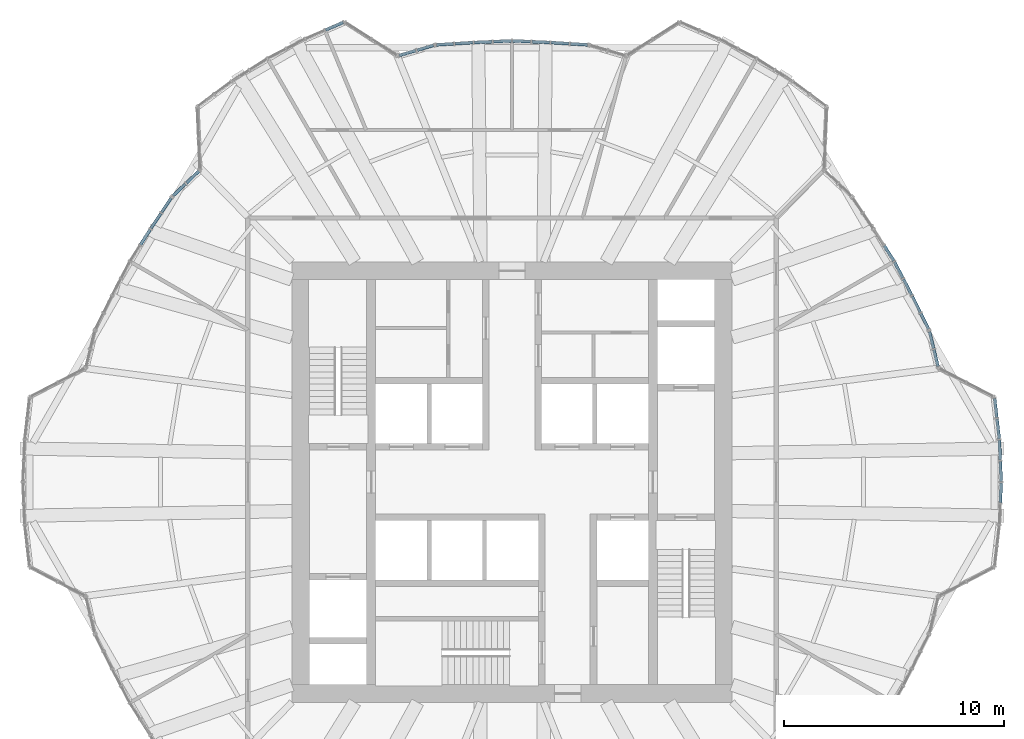
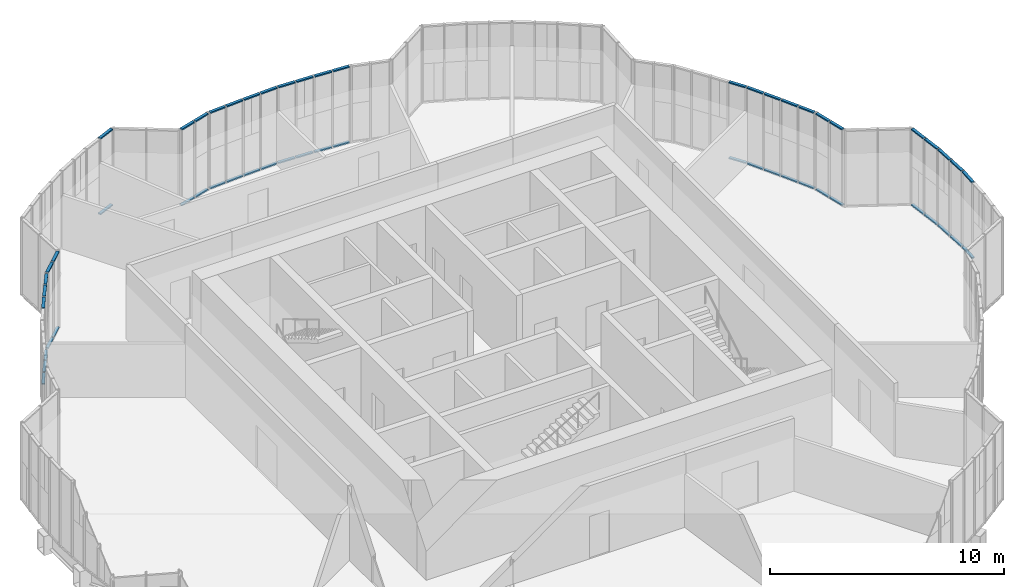
# One storey, part 11 of 24: 56 members, 16 elements without a shape of their own.
"""IFC4 building model written with IfcOpenShell, lengths in metres."""

import ifcopenshell
import ifcopenshell.guid

model = None  # the IFC model being written
_history = None  # IfcOwnerHistory: only IFC2X3 demands one
_inside = {}  # id of a spatial element -> (the spatial element, [elements in it])
_under = {}  # id of a project, library or spatial element -> (it, [spatial elements below it])
_declared = {}  # id of a project -> (the project, [libraries it declares])
_typed = {}  # id of a type object -> (the type object, [elements of that type])
_made_of = {}  # id of a material, layer set ... -> (it, [elements and type objects made of it])


def new_model(schema):
    """Start an empty IFC model of exactly this schema.

    Asked for "IFC4X3", IfcOpenShell would pick the latest addendum, in which some entities
    have other attributes; the version numbers below select the first issue.
    IFC2X3 requires an IfcOwnerHistory on every rooted entity: one is made here for all.
    """
    global model, _history
    if schema == "IFC4X3":
        model = ifcopenshell.file(schema_version=(4, 3, 0, 0))
    else:
        model = ifcopenshell.file(schema=schema)
    _inside.clear()
    _under.clear()
    _declared.clear()
    _typed.clear()
    _made_of.clear()
    _history = None
    if model.schema == "IFC2X3":
        org = make("IfcOrganization", Name="unknown")
        user = make(
            "IfcPersonAndOrganization",
            ThePerson=make("IfcPerson", FamilyName="unknown"),
            TheOrganization=org,
        )
        app = make(
            "IfcApplication",
            ApplicationDeveloper=org,
            Version="unknown",
            ApplicationFullName="unknown",
            ApplicationIdentifier="unknown",
        )
        _history = make(
            "IfcOwnerHistory",
            OwningUser=user,
            OwningApplication=app,
            ChangeAction="ADDED",
            CreationDate=0,
        )
    return model


def make(cls, **values):
    """One entity of the class cls with the attributes given. An attribute that is None is left unset."""
    return model.create_entity(
        cls, **{name: value for name, value in values.items() if value is not None}
    )


def rooted(cls, **values):
    """An entity with a GlobalId (a new one), such as an element, a storey or a relation."""
    return make(cls, GlobalId=ifcopenshell.guid.new(), OwnerHistory=_history, **values)


def si_unit(unit_type, name, prefix=None):
    """IfcSIUnit, for example si_unit("LENGTHUNIT", "METRE", prefix="MILLI")."""
    return make("IfcSIUnit", UnitType=unit_type, Prefix=prefix, Name=name)


def assignment(units):
    """IfcUnitAssignment: the units of a project."""
    return None if units is None else make("IfcUnitAssignment", Units=units)


def point(xyz):
    """IfcCartesianPoint."""
    return None if xyz is None else make("IfcCartesianPoint", Coordinates=xyz)


def direction(xyz):
    """IfcDirection."""
    return None if xyz is None else make("IfcDirection", DirectionRatios=xyz)


def frame(location, z_axis=None, x_axis=None):
    """IfcAxis2Placement3D, a coordinate frame: its origin and axes. An axis left out is left unset."""
    return make(
        "IfcAxis2Placement3D",
        Location=point(location),
        Axis=direction(z_axis),
        RefDirection=direction(x_axis),
    )


def frame_2d(location, x_axis=None):
    """IfcAxis2Placement2D, a coordinate frame in the plane: its origin and x axis."""
    return make(
        "IfcAxis2Placement2D", Location=point(location), RefDirection=direction(x_axis)
    )


def origin():
    """The frame at (0, 0, 0) with its axes left unset."""
    return frame((0.0, 0.0, 0.0))


def origin_2d():
    """The frame at (0, 0) in the plane with its x axis left unset."""
    return frame_2d((0.0, 0.0))


def place(relative_to, where):
    """IfcLocalPlacement: puts the frame where relative to a parent placement (None: the world)."""
    return make(
        "IfcLocalPlacement", PlacementRelTo=relative_to, RelativePlacement=where
    )


def context(
    kind, dimensions, precision=None, world=None, true_north=None, identifier=None
):
    """IfcGeometricRepresentationContext, for example the 3D "Model" context."""
    return make(
        "IfcGeometricRepresentationContext",
        ContextIdentifier=identifier,
        ContextType=kind,
        CoordinateSpaceDimension=dimensions,
        Precision=precision,
        WorldCoordinateSystem=world,
        TrueNorth=true_north,
    )


def subcontext(parent, identifier, kind, view, scale=None):
    """IfcGeometricRepresentationSubContext, for example "Body" below "Model"."""
    return make(
        "IfcGeometricRepresentationSubContext",
        ContextIdentifier=identifier,
        ContextType=kind,
        ParentContext=parent,
        TargetScale=scale,
        TargetView=view,
    )


def project(units=None, contexts=None):
    """IfcProject with its units and contexts."""
    return rooted(
        "IfcProject",
        Name="project",
        RepresentationContexts=contexts,
        UnitsInContext=assignment(units),
    )


def spatial(cls, under=None, at=None, **own):
    """A site, building, storey or space (cls), placed at a placement, below another one or the project."""
    s = rooted(cls, ObjectPlacement=at, **own)
    if under is not None:
        _under.setdefault(under.id(), (under, []))[1].append(s)
    return s


def profile(cls, at=None, kind="AREA", **sizes):
    """A parametric profile (cls). Its sizes go by their IFC names, for example OverallWidth=200.0."""
    return make(cls, ProfileType=kind, Position=at, **sizes)


def rectangle(**sizes):
    """IfcRectangleProfileDef."""
    return profile("IfcRectangleProfileDef", **sizes)


def extrude(swept, where, along, depth):
    """IfcExtrudedAreaSolid: the profile swept, set in the frame where, extruded along a direction by depth."""
    return make(
        "IfcExtrudedAreaSolid",
        SweptArea=swept,
        Position=where,
        ExtrudedDirection=direction(along),
        Depth=depth,
    )


def shape(context_of_items, identifier, shape_type, items):
    """IfcShapeRepresentation: the items that make up one representation, for example the "Body"."""
    return make(
        "IfcShapeRepresentation",
        ContextOfItems=context_of_items,
        RepresentationIdentifier=identifier,
        RepresentationType=shape_type,
        Items=items,
    )


def material(Name=None, Category=None):
    """IfcMaterial."""
    return make("IfcMaterial", Name=Name, Category=Category)


def material_profile(
    of_material, cross_section, Name=None, Category=None, Priority=None
):
    """IfcMaterialProfile: a cross section and its material."""
    return make(
        "IfcMaterialProfile",
        Name=Name,
        Material=of_material,
        Profile=cross_section,
        Priority=Priority,
        Category=Category,
    )


def profile_set(profiles, Name=None, composite=None):
    """IfcMaterialProfileSet."""
    return make(
        "IfcMaterialProfileSet",
        Name=Name,
        MaterialProfiles=profiles,
        CompositeProfile=composite,
    )


def made_of(thing, what):
    """Note that an element or type object is made of a material, layer set ...; save() writes the relation."""
    if what is not None:
        _made_of.setdefault(what.id(), (what, []))[1].append(thing)
    return thing


def type_object(cls, material=None, **own):
    """A type object (cls), such as IfcWallType, which elements share."""
    return made_of(rooted(cls, **own), material)


def element(
    cls,
    number,
    at=None,
    inside=None,
    cuts=None,
    type_object=None,
    material=None,
    context=None,
    identifier="Body",
    shape_type=None,
    held_by="IfcProductDefinitionShape",
    body=None,
    shapes=None,
    **own,
):
    """One element of the class cls, such as IfcWall. Its Tag is "e" and its number.

    at: its placement. inside: the storey or other place that contains it. cuts: it is an
    opening in that element (IfcRelVoidsElement). A single representation is given by context,
    identifier, shape_type and body (its items); several are given by shapes. held_by: the class
    of the entity that holds the representations. save() writes the other relations.
    """
    e = rooted(cls, Tag="e%d" % number, ObjectPlacement=at, **own)
    if body is not None:
        shapes = [shape(context, identifier, shape_type, body)]
    if shapes is not None:
        e.Representation = make(held_by, Representations=shapes)
    if inside is not None:
        _inside.setdefault(inside.id(), (inside, []))[1].append(e)
    if cuts is not None:
        rooted(
            "IfcRelVoidsElement", RelatingBuildingElement=cuts, RelatedOpeningElement=e
        )
    if type_object is not None:
        _typed.setdefault(type_object.id(), (type_object, []))[1].append(e)
    return made_of(e, material)


def aggregate(whole, parts):
    """IfcRelAggregates: a whole, such as a stair, and the parts it consists of."""
    return rooted("IfcRelAggregates", RelatingObject=whole, RelatedObjects=parts)


def save(model, path):
    """Write the relations noted so far, then the file.

    IfcRelAggregates (storeys below a building ...), IfcRelContainedInSpatialStructure (elements
    in a storey), IfcRelDefinesByType, IfcRelAssociatesMaterial and IfcRelDeclares: one each for
    every whole, place, type object, material and project.
    """
    for whole, parts in _under.values():
        aggregate(whole, parts)
    for where, things in _inside.values():
        rooted(
            "IfcRelContainedInSpatialStructure",
            RelatedElements=things,
            RelatingStructure=where,
        )
    for kind, things in _typed.values():
        rooted("IfcRelDefinesByType", RelatedObjects=things, RelatingType=kind)
    for what, things in _made_of.values():
        rooted("IfcRelAssociatesMaterial", RelatedObjects=things, RelatingMaterial=what)
    for by, libraries in _declared.values():
        rooted("IfcRelDeclares", RelatingContext=by, RelatedDefinitions=libraries)
    model.write(path)


model = new_model("IFC4")

# Units and contexts
model_context = context("Model", 3, precision=1e-05, world=origin(), true_north=direction((0.0, 1.0)))
body_context = subcontext(model_context, "Body", "Model", "MODEL_VIEW")
ifc_project = project(units=[si_unit("LENGTHUNIT", "METRE"), si_unit("AREAUNIT", "SQUARE_METRE"), si_unit("VOLUMEUNIT", "CUBIC_METRE"), si_unit("PLANEANGLEUNIT", "RADIAN"), si_unit("MASSUNIT", "GRAM", prefix="KILO")], contexts=[model_context])

# Site, building, storey
site_placement = place(None, origin())
site = spatial("IfcSite", under=ifc_project, at=site_placement, CompositionType="ELEMENT")
building_placement = place(site_placement, origin())
building = spatial("IfcBuilding", under=site, at=building_placement, Name="Golbaran Civic Tower", CompositionType="ELEMENT")
storey_placement = place(building_placement, frame((0.0, 0.0, 25.0)))
storey = spatial("IfcBuildingStorey", under=building, at=storey_placement, Name="L05", CompositionType="ELEMENT", Elevation=25.0)

# Curtain wall, members
ifc_material_1 = material(Name="Aluminium and glass", Category="aluminium")
curtain_wall_type = type_object("IfcCurtainWallType", Name="INNER SKIN CURTAIN WALL", PredefinedType="NOTDEFINED", material=ifc_material_1)
curtain_wall_1_placement = place(storey_placement, origin())
curtain_wall_1 = element("IfcCurtainWall", 1, at=curtain_wall_1_placement, inside=storey, type_object=curtain_wall_type, Name="Inner skin L05 facet 1 CW1", ObjectType="INNER SKIN", PredefinedType="USERDEFINED")
ifc_material_2 = material(Name="Aluminium", Category="aluminium")
ifc_material_profile = material_profile(ifc_material_2, rectangle(XDim=0.139892578125, YDim=0.06494140625, at=origin_2d()), Name="INNER SKIN CURTAIN WALL TRANSOM")
ifc_profile_set = profile_set([ifc_material_profile], Name="Aluminium")
member_type = type_object("IfcMemberType", Name="INNER SKIN CURTAIN WALL TRANSOM", PredefinedType="USERDEFINED", material=ifc_profile_set)
member_1_placement = place(storey_placement, frame((22.219482421875, 0.032470703125, 0.032470703125), z_axis=(-0.043472377115, 0.999054629351, 0.0), x_axis=(-0.999054629351, -0.043472377115, 0.0)))
member_1 = element("IfcMember", 2, at=member_1_placement, type_object=member_type, Name="CW1 transom 1.1", ObjectType="TRANSOM", PredefinedType="USERDEFINED", context=body_context, shape_type="SweptSolid", body=[
    extrude(rectangle(XDim=0.139892578125, YDim=0.06494140625, at=origin_2d()), origin(), (0.0, 0.0, 1.0), 0.904296875),
])
member_2_placement = place(storey_placement, frame((22.219482421875, 0.032470703125, 3.967529296875), z_axis=(-0.043472377115, 0.999054629351, 0.0), x_axis=(-0.999054629351, -0.043472377115, 0.0)))
member_2 = element("IfcMember", 3, at=member_2_placement, type_object=member_type, Name="CW1 transom 1.2", ObjectType="TRANSOM", PredefinedType="USERDEFINED", context=body_context, shape_type="SweptSolid", body=[
    extrude(rectangle(XDim=0.139892578125, YDim=0.06494140625, at=origin_2d()), origin(), (0.0, 0.0, 1.0), 0.904296875),
])
member_3_placement = place(storey_placement, frame((22.17724609375, 1.000732421875, 0.032470703125), z_axis=(-0.043460653188, 0.999055139431, 0.0), x_axis=(-0.999055139431, -0.043460653188, 0.0)))
member_3 = element("IfcMember", 4, at=member_3_placement, type_object=member_type, Name="CW1 transom 2.1", ObjectType="TRANSOM", PredefinedType="USERDEFINED", context=body_context, shape_type="SweptSolid", body=[
    extrude(rectangle(XDim=0.139892578125, YDim=0.06494140625, at=origin_2d()), origin(), (0.0, 0.0, 1.0), 0.904541015625),
])
member_4_placement = place(storey_placement, frame((22.17724609375, 1.000732421875, 3.967529296875), z_axis=(-0.043460653188, 0.999055139431, 0.0), x_axis=(-0.999055139431, -0.043460653188, 0.0)))
member_4 = element("IfcMember", 5, at=member_4_placement, type_object=member_type, Name="CW1 transom 2.2", ObjectType="TRANSOM", PredefinedType="USERDEFINED", context=body_context, shape_type="SweptSolid", body=[
    extrude(rectangle(XDim=0.139892578125, YDim=0.06494140625, at=origin_2d()), origin(), (0.0, 0.0, 1.0), 0.904541015625),
])
aggregate(curtain_wall_1, [member_1, member_2, member_3, member_4])

curtain_wall_2_placement = place(storey_placement, origin())
curtain_wall_2 = element("IfcCurtainWall", 6, at=curtain_wall_2_placement, inside=storey, type_object=curtain_wall_type, Name="Inner skin L05 facet 2 CW1", ObjectType="INNER SKIN", PredefinedType="USERDEFINED")
member_5_placement = place(storey_placement, frame((22.1328125, 1.968994140625, 0.032470703125), z_axis=(-0.11490051684, 0.993377003574, 0.0), x_axis=(-0.993377003574, -0.11490051684, 0.0)))
member_5 = element("IfcMember", 7, at=member_5_placement, type_object=member_type, Name="CW1 transom 1.1", ObjectType="TRANSOM", PredefinedType="USERDEFINED", context=body_context, shape_type="SweptSolid", body=[
    extrude(rectangle(XDim=0.139892578125, YDim=0.06494140625, at=origin_2d()), origin(), (0.0, 0.0, 1.0), 0.9052734375),
])
member_6_placement = place(storey_placement, frame((22.1328125, 1.968994140625, 3.967529296875), z_axis=(-0.11490051684, 0.993377003574, 0.0), x_axis=(-0.993377003574, -0.11490051684, 0.0)))
member_6 = element("IfcMember", 8, at=member_6_placement, type_object=member_type, Name="CW1 transom 1.2", ObjectType="TRANSOM", PredefinedType="USERDEFINED", context=body_context, shape_type="SweptSolid", body=[
    extrude(rectangle(XDim=0.139892578125, YDim=0.06494140625, at=origin_2d()), origin(), (0.0, 0.0, 1.0), 0.9052734375),
])
member_7_placement = place(storey_placement, frame((22.021484375, 2.9326171875, 0.032470703125), z_axis=(-0.114698436008, 0.993400356743, 0.0), x_axis=(-0.993400356743, -0.114698436008, 0.0)))
member_7 = element("IfcMember", 9, at=member_7_placement, type_object=member_type, Name="CW1 transom 2.1", ObjectType="TRANSOM", PredefinedType="USERDEFINED", context=body_context, shape_type="SweptSolid", body=[
    extrude(rectangle(XDim=0.139892578125, YDim=0.06494140625, at=origin_2d()), origin(), (0.0, 0.0, 1.0), 0.872802734375),
])
member_8_placement = place(storey_placement, frame((22.021484375, 2.9326171875, 3.967529296875), z_axis=(-0.114698436008, 0.993400356743, 0.0), x_axis=(-0.993400356743, -0.114698436008, 0.0)))
member_8 = element("IfcMember", 10, at=member_8_placement, type_object=member_type, Name="CW1 transom 2.2", ObjectType="TRANSOM", PredefinedType="USERDEFINED", context=body_context, shape_type="SweptSolid", body=[
    extrude(rectangle(XDim=0.139892578125, YDim=0.06494140625, at=origin_2d()), origin(), (0.0, 0.0, 1.0), 0.872802734375),
])
aggregate(curtain_wall_2, [member_5, member_6, member_7, member_8])

curtain_wall_3_placement = place(storey_placement, origin())
curtain_wall_3 = element("IfcCurtainWall", 11, at=curtain_wall_3_placement, inside=storey, type_object=curtain_wall_type, Name="Inner skin L05 facet 4 CW1", ObjectType="INNER SKIN", PredefinedType="USERDEFINED")
member_9_placement = place(storey_placement, frame((19.3486328125, 5.251708984375, 0.032470703125), z_axis=(-0.235546378815, 0.971863109407, 0.0), x_axis=(-0.971863109407, -0.235546378815, 0.0)))
member_9 = element("IfcMember", 12, at=member_9_placement, type_object=member_type, Name="CW1 transom 1.1", ObjectType="TRANSOM", PredefinedType="USERDEFINED", context=body_context, shape_type="SweptSolid", body=[
    extrude(rectangle(XDim=0.139892578125, YDim=0.06494140625, at=origin_2d()), origin(), (0.0, 0.0, 1.0), 0.781494140625),
])
member_10_placement = place(storey_placement, frame((19.3486328125, 5.251708984375, 3.967529296875), z_axis=(-0.235546378815, 0.971863109407, 0.0), x_axis=(-0.971863109407, -0.235546378815, 0.0)))
member_10 = element("IfcMember", 13, at=member_10_placement, type_object=member_type, Name="CW1 transom 1.2", ObjectType="TRANSOM", PredefinedType="USERDEFINED", context=body_context, shape_type="SweptSolid", body=[
    extrude(rectangle(XDim=0.139892578125, YDim=0.06494140625, at=origin_2d()), origin(), (0.0, 0.0, 1.0), 0.781494140625),
])
member_11_placement = place(storey_placement, frame((19.149169921875, 6.074462890625, 0.032470703125), z_axis=(-0.235546378815, 0.971863109407, 0.0), x_axis=(-0.971863109407, -0.235546378815, 0.0)))
member_11 = element("IfcMember", 14, at=member_11_placement, type_object=member_type, Name="CW1 transom 2.1", ObjectType="TRANSOM", PredefinedType="USERDEFINED", context=body_context, shape_type="SweptSolid", body=[
    extrude(rectangle(XDim=0.139892578125, YDim=0.06494140625, at=origin_2d()), origin(), (0.0, 0.0, 1.0), 0.781494140625),
])
member_12_placement = place(storey_placement, frame((19.149169921875, 6.074462890625, 3.967529296875), z_axis=(-0.235546378815, 0.971863109407, 0.0), x_axis=(-0.971863109407, -0.235546378815, 0.0)))
member_12 = element("IfcMember", 15, at=member_12_placement, type_object=member_type, Name="CW1 transom 2.2", ObjectType="TRANSOM", PredefinedType="USERDEFINED", context=body_context, shape_type="SweptSolid", body=[
    extrude(rectangle(XDim=0.139892578125, YDim=0.06494140625, at=origin_2d()), origin(), (0.0, 0.0, 1.0), 0.781494140625),
])
aggregate(curtain_wall_3, [member_9, member_10, member_11, member_12])

curtain_wall_4_placement = place(storey_placement, origin())
curtain_wall_4 = element("IfcCurtainWall", 16, at=curtain_wall_4_placement, inside=storey, type_object=curtain_wall_type, Name="Inner skin L05 facet 5 CW1", ObjectType="INNER SKIN", PredefinedType="USERDEFINED")
member_13_placement = place(storey_placement, frame((18.9208984375, 6.955322265625, 0.032470703125), z_axis=(-0.44421218096, 0.895921613919, 0.0), x_axis=(-0.895921613919, -0.44421218096, 0.0)))
member_13 = element("IfcMember", 17, at=member_13_placement, type_object=member_type, Name="CW1 transom 1.1", ObjectType="TRANSOM", PredefinedType="USERDEFINED", context=body_context, shape_type="SweptSolid", body=[
    extrude(rectangle(XDim=0.139892578125, YDim=0.06494140625, at=origin_2d()), origin(), (0.0, 0.0, 1.0), 0.781494140625),
])
member_14_placement = place(storey_placement, frame((18.9208984375, 6.955322265625, 3.967529296875), z_axis=(-0.44421218096, 0.895921613919, 0.0), x_axis=(-0.895921613919, -0.44421218096, 0.0)))
member_14 = element("IfcMember", 18, at=member_14_placement, type_object=member_type, Name="CW1 transom 1.2", ObjectType="TRANSOM", PredefinedType="USERDEFINED", context=body_context, shape_type="SweptSolid", body=[
    extrude(rectangle(XDim=0.139892578125, YDim=0.06494140625, at=origin_2d()), origin(), (0.0, 0.0, 1.0), 0.781494140625),
])
member_15_placement = place(storey_placement, frame((18.544921875, 7.7138671875, 0.032470703125), z_axis=(-0.444452384099, 0.895802477262, 0.0), x_axis=(-0.895802477262, -0.444452384099, 0.0)))
member_15 = element("IfcMember", 19, at=member_15_placement, type_object=member_type, Name="CW1 transom 2.1", ObjectType="TRANSOM", PredefinedType="USERDEFINED", context=body_context, shape_type="SweptSolid", body=[
    extrude(rectangle(XDim=0.139892578125, YDim=0.06494140625, at=origin_2d()), origin(), (0.0, 0.0, 1.0), 0.81396484375),
])
member_16_placement = place(storey_placement, frame((18.544921875, 7.7138671875, 3.967529296875), z_axis=(-0.444452384099, 0.895802477262, 0.0), x_axis=(-0.895802477262, -0.444452384099, 0.0)))
member_16 = element("IfcMember", 20, at=member_16_placement, type_object=member_type, Name="CW1 transom 2.2", ObjectType="TRANSOM", PredefinedType="USERDEFINED", context=body_context, shape_type="SweptSolid", body=[
    extrude(rectangle(XDim=0.139892578125, YDim=0.06494140625, at=origin_2d()), origin(), (0.0, 0.0, 1.0), 0.81396484375),
])
aggregate(curtain_wall_4, [member_13, member_14, member_15, member_16])

curtain_wall_5_placement = place(storey_placement, origin())
curtain_wall_5 = element("IfcCurtainWall", 21, at=curtain_wall_5_placement, inside=storey, type_object=curtain_wall_type, Name="Inner skin L05 facet 6 CW1", ObjectType="INNER SKIN", PredefinedType="USERDEFINED")
member_17_placement = place(storey_placement, frame((18.15380859375, 8.5009765625, 0.032470703125), z_axis=(-0.461751533004, 0.887009313237, 0.0), x_axis=(-0.887009313237, -0.461751533004, 0.0)))
member_17 = element("IfcMember", 22, at=member_17_placement, type_object=member_type, Name="CW1 transom 1.1", ObjectType="TRANSOM", PredefinedType="USERDEFINED", context=body_context, shape_type="SweptSolid", body=[
    extrude(rectangle(XDim=0.139892578125, YDim=0.06494140625, at=origin_2d()), origin(), (0.0, 0.0, 1.0), 0.8095703125),
])
member_18_placement = place(storey_placement, frame((18.15380859375, 8.5009765625, 3.967529296875), z_axis=(-0.461751533004, 0.887009313237, 0.0), x_axis=(-0.887009313237, -0.461751533004, 0.0)))
member_18 = element("IfcMember", 23, at=member_18_placement, type_object=member_type, Name="CW1 transom 1.2", ObjectType="TRANSOM", PredefinedType="USERDEFINED", context=body_context, shape_type="SweptSolid", body=[
    extrude(rectangle(XDim=0.139892578125, YDim=0.06494140625, at=origin_2d()), origin(), (0.0, 0.0, 1.0), 0.8095703125),
])
member_19_placement = place(storey_placement, frame((17.75, 9.276611328125, 0.032470703125), z_axis=(-0.461751533004, 0.887009313237, 0.0), x_axis=(-0.887009313237, -0.461751533004, 0.0)))
member_19 = element("IfcMember", 24, at=member_19_placement, type_object=member_type, Name="CW1 transom 2.1", ObjectType="TRANSOM", PredefinedType="USERDEFINED", context=body_context, shape_type="SweptSolid", body=[
    extrude(rectangle(XDim=0.139892578125, YDim=0.06494140625, at=origin_2d()), origin(), (0.0, 0.0, 1.0), 0.8095703125),
])
member_20_placement = place(storey_placement, frame((17.75, 9.276611328125, 3.967529296875), z_axis=(-0.461751533004, 0.887009313237, 0.0), x_axis=(-0.887009313237, -0.461751533004, 0.0)))
member_20 = element("IfcMember", 25, at=member_20_placement, type_object=member_type, Name="CW1 transom 2.2", ObjectType="TRANSOM", PredefinedType="USERDEFINED", context=body_context, shape_type="SweptSolid", body=[
    extrude(rectangle(XDim=0.139892578125, YDim=0.06494140625, at=origin_2d()), origin(), (0.0, 0.0, 1.0), 0.8095703125),
])
aggregate(curtain_wall_5, [member_17, member_18, member_19, member_20])

curtain_wall_6_placement = place(storey_placement, origin())
curtain_wall_6 = element("IfcCurtainWall", 26, at=curtain_wall_6_placement, inside=storey, type_object=curtain_wall_type, Name="Inner skin L05 facet 7 CW1", ObjectType="INNER SKIN", PredefinedType="USERDEFINED")
member_21_placement = place(storey_placement, frame((17.34375, 10.051025390625, 0.032470703125), z_axis=(-0.537246297661, 0.843425406097, 0.0), x_axis=(-0.843425406097, -0.537246297661, 0.0)))
member_21 = element("IfcMember", 27, at=member_21_placement, type_object=member_type, Name="CW1 transom 1.1", ObjectType="TRANSOM", PredefinedType="USERDEFINED", context=body_context, shape_type="SweptSolid", body=[
    extrude(rectangle(XDim=0.139892578125, YDim=0.06494140625, at=origin_2d()), origin(), (0.0, 0.0, 1.0), 0.809326171875),
])
member_22_placement = place(storey_placement, frame((17.34375, 10.051025390625, 3.967529296875), z_axis=(-0.537246297661, 0.843425406097, 0.0), x_axis=(-0.843425406097, -0.537246297661, 0.0)))
member_22 = element("IfcMember", 28, at=member_22_placement, type_object=member_type, Name="CW1 transom 1.2", ObjectType="TRANSOM", PredefinedType="USERDEFINED", context=body_context, shape_type="SweptSolid", body=[
    extrude(rectangle(XDim=0.139892578125, YDim=0.06494140625, at=origin_2d()), origin(), (0.0, 0.0, 1.0), 0.809326171875),
])
aggregate(curtain_wall_6, [member_21, member_22])

curtain_wall_7_placement = place(storey_placement, origin())
curtain_wall_7 = element("IfcCurtainWall", 29, at=curtain_wall_7_placement, inside=storey, type_object=curtain_wall_type, Name="Inner skin L05 facet 17 CW1", ObjectType="INNER SKIN", PredefinedType="USERDEFINED")
member_23_placement = place(storey_placement, frame((3.43701171875, 19.86376953125, 0.032470703125), z_axis=(-0.998007348224, 0.063097804176, 0.0), x_axis=(-0.063097804176, -0.998007348224, 0.0)))
member_23 = element("IfcMember", 30, at=member_23_placement, type_object=member_type, Name="CW1 transom 1.1", ObjectType="TRANSOM", PredefinedType="USERDEFINED", context=body_context, shape_type="SweptSolid", body=[
    extrude(rectangle(XDim=0.139892578125, YDim=0.06494140625, at=origin_2d()), origin(), (0.0, 0.0, 1.0), 0.781494140625),
])
member_24_placement = place(storey_placement, frame((3.43701171875, 19.86376953125, 3.967529296875), z_axis=(-0.998007348224, 0.063097804176, 0.0), x_axis=(-0.063097804176, -0.998007348224, 0.0)))
member_24 = element("IfcMember", 31, at=member_24_placement, type_object=member_type, Name="CW1 transom 1.2", ObjectType="TRANSOM", PredefinedType="USERDEFINED", context=body_context, shape_type="SweptSolid", body=[
    extrude(rectangle(XDim=0.139892578125, YDim=0.06494140625, at=origin_2d()), origin(), (0.0, 0.0, 1.0), 0.781494140625),
])
member_25_placement = place(storey_placement, frame((2.592041015625, 19.917236328125, 0.032470703125), z_axis=(-0.997996167705, 0.06327439645, 0.0), x_axis=(-0.06327439645, -0.997996167705, 0.0)))
member_25 = element("IfcMember", 32, at=member_25_placement, type_object=member_type, Name="CW1 transom 2.1", ObjectType="TRANSOM", PredefinedType="USERDEFINED", context=body_context, shape_type="SweptSolid", body=[
    extrude(rectangle(XDim=0.139892578125, YDim=0.06494140625, at=origin_2d()), origin(), (0.0, 0.0, 1.0), 0.814208984375),
])
member_26_placement = place(storey_placement, frame((2.592041015625, 19.917236328125, 3.967529296875), z_axis=(-0.997996167705, 0.06327439645, 0.0), x_axis=(-0.06327439645, -0.997996167705, 0.0)))
member_26 = element("IfcMember", 33, at=member_26_placement, type_object=member_type, Name="CW1 transom 2.2", ObjectType="TRANSOM", PredefinedType="USERDEFINED", context=body_context, shape_type="SweptSolid", body=[
    extrude(rectangle(XDim=0.139892578125, YDim=0.06494140625, at=origin_2d()), origin(), (0.0, 0.0, 1.0), 0.814208984375),
])
aggregate(curtain_wall_7, [member_23, member_24, member_25, member_26])

curtain_wall_8_placement = place(storey_placement, origin())
curtain_wall_8 = element("IfcCurtainWall", 34, at=curtain_wall_8_placement, inside=storey, type_object=curtain_wall_type, Name="Inner skin L05 facet 18 CW1", ObjectType="INNER SKIN", PredefinedType="USERDEFINED")
member_27_placement = place(storey_placement, frame((1.71484375, 19.97216796875, 0.032470703125), z_axis=(-0.999056727244, 0.043424137858, 0.0), x_axis=(-0.043424137858, -0.999056727244, 0.0)))
member_27 = element("IfcMember", 35, at=member_27_placement, type_object=member_type, Name="CW1 transom 1.1", ObjectType="TRANSOM", PredefinedType="USERDEFINED", context=body_context, shape_type="SweptSolid", body=[
    extrude(rectangle(XDim=0.139892578125, YDim=0.06494140625, at=origin_2d()), origin(), (0.0, 0.0, 1.0), 0.8095703125),
])
member_28_placement = place(storey_placement, frame((1.71484375, 19.97216796875, 3.967529296875), z_axis=(-0.999056727244, 0.043424137858, 0.0), x_axis=(-0.043424137858, -0.999056727244, 0.0)))
member_28 = element("IfcMember", 36, at=member_28_placement, type_object=member_type, Name="CW1 transom 1.2", ObjectType="TRANSOM", PredefinedType="USERDEFINED", context=body_context, shape_type="SweptSolid", body=[
    extrude(rectangle(XDim=0.139892578125, YDim=0.06494140625, at=origin_2d()), origin(), (0.0, 0.0, 1.0), 0.8095703125),
])
member_29_placement = place(storey_placement, frame((0.841064453125, 20.01025390625, 0.032470703125), z_axis=(-0.999043022803, 0.04373829659, 0.0), x_axis=(-0.04373829659, -0.999043022803, 0.0)))
member_29 = element("IfcMember", 37, at=member_29_placement, type_object=member_type, Name="CW1 transom 2.1", ObjectType="TRANSOM", PredefinedType="USERDEFINED", context=body_context, shape_type="SweptSolid", body=[
    extrude(rectangle(XDim=0.139892578125, YDim=0.06494140625, at=origin_2d()), origin(), (0.0, 0.0, 1.0), 0.809326171875),
])
member_30_placement = place(storey_placement, frame((0.841064453125, 20.01025390625, 3.967529296875), z_axis=(-0.999043022803, 0.04373829659, 0.0), x_axis=(-0.04373829659, -0.999043022803, 0.0)))
member_30 = element("IfcMember", 38, at=member_30_placement, type_object=member_type, Name="CW1 transom 2.2", ObjectType="TRANSOM", PredefinedType="USERDEFINED", context=body_context, shape_type="SweptSolid", body=[
    extrude(rectangle(XDim=0.139892578125, YDim=0.06494140625, at=origin_2d()), origin(), (0.0, 0.0, 1.0), 0.809326171875),
])
aggregate(curtain_wall_8, [member_27, member_28, member_29, member_30])

curtain_wall_9_placement = place(storey_placement, origin())
curtain_wall_9 = element("IfcCurtainWall", 39, at=curtain_wall_9_placement, inside=storey, type_object=curtain_wall_type, Name="Inner skin L05 facet 19 CW1", ObjectType="INNER SKIN", PredefinedType="USERDEFINED")
member_31_placement = place(storey_placement, frame((-0.032470703125, 20.045654296875, 0.032470703125), z_axis=(-0.999043022803, -0.04373829659, 0.0), x_axis=(0.04373829659, -0.999043022803, 0.0)))
member_31 = element("IfcMember", 40, at=member_31_placement, type_object=member_type, Name="CW1 transom 1.1", ObjectType="TRANSOM", PredefinedType="USERDEFINED", context=body_context, shape_type="SweptSolid", body=[
    extrude(rectangle(XDim=0.139892578125, YDim=0.06494140625, at=origin_2d()), origin(), (0.0, 0.0, 1.0), 0.809326171875),
])
member_32_placement = place(storey_placement, frame((-0.032470703125, 20.045654296875, 3.967529296875), z_axis=(-0.999043022803, -0.04373829659, 0.0), x_axis=(0.04373829659, -0.999043022803, 0.0)))
member_32 = element("IfcMember", 41, at=member_32_placement, type_object=member_type, Name="CW1 transom 1.2", ObjectType="TRANSOM", PredefinedType="USERDEFINED", context=body_context, shape_type="SweptSolid", body=[
    extrude(rectangle(XDim=0.139892578125, YDim=0.06494140625, at=origin_2d()), origin(), (0.0, 0.0, 1.0), 0.809326171875),
])
member_33_placement = place(storey_placement, frame((-0.906005859375, 20.00732421875, 0.032470703125), z_axis=(-0.999056727244, -0.043424137858, 0.0), x_axis=(0.043424137858, -0.999056727244, 0.0)))
member_33 = element("IfcMember", 42, at=member_33_placement, type_object=member_type, Name="CW1 transom 2.1", ObjectType="TRANSOM", PredefinedType="USERDEFINED", context=body_context, shape_type="SweptSolid", body=[
    extrude(rectangle(XDim=0.139892578125, YDim=0.06494140625, at=origin_2d()), origin(), (0.0, 0.0, 1.0), 0.8095703125),
])
member_34_placement = place(storey_placement, frame((-0.906005859375, 20.00732421875, 3.967529296875), z_axis=(-0.999056727244, -0.043424137858, 0.0), x_axis=(0.043424137858, -0.999056727244, 0.0)))
member_34 = element("IfcMember", 43, at=member_34_placement, type_object=member_type, Name="CW1 transom 2.2", ObjectType="TRANSOM", PredefinedType="USERDEFINED", context=body_context, shape_type="SweptSolid", body=[
    extrude(rectangle(XDim=0.139892578125, YDim=0.06494140625, at=origin_2d()), origin(), (0.0, 0.0, 1.0), 0.8095703125),
])
aggregate(curtain_wall_9, [member_31, member_32, member_33, member_34])

curtain_wall_10_placement = place(storey_placement, origin())
curtain_wall_10 = element("IfcCurtainWall", 44, at=curtain_wall_10_placement, inside=storey, type_object=curtain_wall_type, Name="Inner skin L05 facet 20 CW1", ObjectType="INNER SKIN", PredefinedType="USERDEFINED")
member_35_placement = place(storey_placement, frame((-1.779541015625, 19.96875, 0.032470703125), z_axis=(-0.997996167705, -0.06327439645, 0.0), x_axis=(0.06327439645, -0.997996167705, 0.0)))
member_35 = element("IfcMember", 45, at=member_35_placement, type_object=member_type, Name="CW1 transom 1.1", ObjectType="TRANSOM", PredefinedType="USERDEFINED", context=body_context, shape_type="SweptSolid", body=[
    extrude(rectangle(XDim=0.139892578125, YDim=0.06494140625, at=origin_2d()), origin(), (0.0, 0.0, 1.0), 0.814208984375),
])
member_36_placement = place(storey_placement, frame((-1.779541015625, 19.96875, 3.967529296875), z_axis=(-0.997996167705, -0.06327439645, 0.0), x_axis=(0.06327439645, -0.997996167705, 0.0)))
member_36 = element("IfcMember", 46, at=member_36_placement, type_object=member_type, Name="CW1 transom 1.2", ObjectType="TRANSOM", PredefinedType="USERDEFINED", context=body_context, shape_type="SweptSolid", body=[
    extrude(rectangle(XDim=0.139892578125, YDim=0.06494140625, at=origin_2d()), origin(), (0.0, 0.0, 1.0), 0.814208984375),
])
member_37_placement = place(storey_placement, frame((-2.656982421875, 19.9130859375, 0.032470703125), z_axis=(-0.998007348224, -0.063097804176, 0.0), x_axis=(0.063097804176, -0.998007348224, 0.0)))
member_37 = element("IfcMember", 47, at=member_37_placement, type_object=member_type, Name="CW1 transom 2.1", ObjectType="TRANSOM", PredefinedType="USERDEFINED", context=body_context, shape_type="SweptSolid", body=[
    extrude(rectangle(XDim=0.139892578125, YDim=0.06494140625, at=origin_2d()), origin(), (0.0, 0.0, 1.0), 0.781494140625),
])
member_38_placement = place(storey_placement, frame((-2.656982421875, 19.9130859375, 3.967529296875), z_axis=(-0.998007348224, -0.063097804176, 0.0), x_axis=(0.063097804176, -0.998007348224, 0.0)))
member_38 = element("IfcMember", 48, at=member_38_placement, type_object=member_type, Name="CW1 transom 2.2", ObjectType="TRANSOM", PredefinedType="USERDEFINED", context=body_context, shape_type="SweptSolid", body=[
    extrude(rectangle(XDim=0.139892578125, YDim=0.06494140625, at=origin_2d()), origin(), (0.0, 0.0, 1.0), 0.781494140625),
])
aggregate(curtain_wall_10, [member_35, member_36, member_37, member_38])

curtain_wall_11_placement = place(storey_placement, origin())
curtain_wall_11 = element("IfcCurtainWall", 49, at=curtain_wall_11_placement, inside=storey, type_object=curtain_wall_type, Name="Inner skin L05 facet 21 CW1", ObjectType="INNER SKIN", PredefinedType="USERDEFINED")
member_39_placement = place(storey_placement, frame((-3.564208984375, 19.84130859375, 0.032470703125), z_axis=(-0.959385397379, -0.282098669434, 0.0), x_axis=(0.282098669434, -0.959385397379, 0.0)))
member_39 = element("IfcMember", 50, at=member_39_placement, type_object=member_type, Name="CW1 transom 1.1", ObjectType="TRANSOM", PredefinedType="USERDEFINED", context=body_context, shape_type="SweptSolid", body=[
    extrude(rectangle(XDim=0.139892578125, YDim=0.06494140625, at=origin_2d()), origin(), (0.0, 0.0, 1.0), 0.781494140625),
])
member_40_placement = place(storey_placement, frame((-3.564208984375, 19.84130859375, 3.967529296875), z_axis=(-0.959385397379, -0.282098669434, 0.0), x_axis=(0.282098669434, -0.959385397379, 0.0)))
member_40 = element("IfcMember", 51, at=member_40_placement, type_object=member_type, Name="CW1 transom 1.2", ObjectType="TRANSOM", PredefinedType="USERDEFINED", context=body_context, shape_type="SweptSolid", body=[
    extrude(rectangle(XDim=0.139892578125, YDim=0.06494140625, at=origin_2d()), origin(), (0.0, 0.0, 1.0), 0.781494140625),
])
member_41_placement = place(storey_placement, frame((-4.37646484375, 19.6025390625, 0.032470703125), z_axis=(-0.959469910525, -0.28181109062, 0.0), x_axis=(0.28181109062, -0.959469910525, 0.0)))
member_41 = element("IfcMember", 52, at=member_41_placement, type_object=member_type, Name="CW1 transom 2.1", ObjectType="TRANSOM", PredefinedType="USERDEFINED", context=body_context, shape_type="SweptSolid", body=[
    extrude(rectangle(XDim=0.139892578125, YDim=0.06494140625, at=origin_2d()), origin(), (0.0, 0.0, 1.0), 0.781494140625),
])
member_42_placement = place(storey_placement, frame((-4.37646484375, 19.6025390625, 3.967529296875), z_axis=(-0.959469910525, -0.28181109062, 0.0), x_axis=(0.28181109062, -0.959469910525, 0.0)))
member_42 = element("IfcMember", 53, at=member_42_placement, type_object=member_type, Name="CW1 transom 2.2", ObjectType="TRANSOM", PredefinedType="USERDEFINED", context=body_context, shape_type="SweptSolid", body=[
    extrude(rectangle(XDim=0.139892578125, YDim=0.06494140625, at=origin_2d()), origin(), (0.0, 0.0, 1.0), 0.781494140625),
])
aggregate(curtain_wall_11, [member_39, member_40, member_41, member_42])

curtain_wall_12_placement = place(storey_placement, origin())
curtain_wall_12 = element("IfcCurtainWall", 54, at=curtain_wall_12_placement, inside=storey, type_object=curtain_wall_type, Name="Inner skin L05 facet 23 CW1", ObjectType="INNER SKIN", PredefinedType="USERDEFINED")
member_43_placement = place(storey_placement, frame((-7.670166015625, 20.88427734375, 0.032470703125), z_axis=(-0.917589642421, -0.397528927402, 0.0), x_axis=(0.397528927402, -0.917589642421, 0.0)))
member_43 = element("IfcMember", 55, at=member_43_placement, type_object=member_type, Name="CW1 transom 1.1", ObjectType="TRANSOM", PredefinedType="USERDEFINED", context=body_context, shape_type="SweptSolid", body=[
    extrude(rectangle(XDim=0.139892578125, YDim=0.06494140625, at=origin_2d()), origin(), (0.0, 0.0, 1.0), 0.872802734375),
])
member_44_placement = place(storey_placement, frame((-7.670166015625, 20.88427734375, 3.967529296875), z_axis=(-0.917589642421, -0.397528927402, 0.0), x_axis=(0.397528927402, -0.917589642421, 0.0)))
member_44 = element("IfcMember", 56, at=member_44_placement, type_object=member_type, Name="CW1 transom 1.2", ObjectType="TRANSOM", PredefinedType="USERDEFINED", context=body_context, shape_type="SweptSolid", body=[
    extrude(rectangle(XDim=0.139892578125, YDim=0.06494140625, at=origin_2d()), origin(), (0.0, 0.0, 1.0), 0.872802734375),
])
aggregate(curtain_wall_12, [member_43, member_44])

curtain_wall_13_placement = place(storey_placement, origin())
curtain_wall_13 = element("IfcCurtainWall", 57, at=curtain_wall_13_placement, inside=storey, type_object=curtain_wall_type, Name="Inner skin L05 facet 28 CW1", ObjectType="INNER SKIN", PredefinedType="USERDEFINED")
member_45_placement = place(storey_placement, frame((-14.222412109375, 14.130615234375, 0.032470703125), z_axis=(-0.72377382553, -0.690037281223, 0.0), x_axis=(0.690037281223, -0.72377382553, 0.0)))
member_45 = element("IfcMember", 58, at=member_45_placement, type_object=member_type, Name="CW1 transom 1.1", ObjectType="TRANSOM", PredefinedType="USERDEFINED", context=body_context, shape_type="SweptSolid", body=[
    extrude(rectangle(XDim=0.139892578125, YDim=0.06494140625, at=origin_2d()), origin(), (0.0, 0.0, 1.0), 0.781494140625),
])
member_46_placement = place(storey_placement, frame((-14.222412109375, 14.130615234375, 3.967529296875), z_axis=(-0.72377382553, -0.690037281223, 0.0), x_axis=(0.690037281223, -0.72377382553, 0.0)))
member_46 = element("IfcMember", 59, at=member_46_placement, type_object=member_type, Name="CW1 transom 1.2", ObjectType="TRANSOM", PredefinedType="USERDEFINED", context=body_context, shape_type="SweptSolid", body=[
    extrude(rectangle(XDim=0.139892578125, YDim=0.06494140625, at=origin_2d()), origin(), (0.0, 0.0, 1.0), 0.781494140625),
])
member_47_placement = place(storey_placement, frame((-14.835205078125, 13.54638671875, 0.032470703125), z_axis=(-0.723929850594, -0.689873590898, 0.0), x_axis=(0.689873590898, -0.723929850594, 0.0)))
member_47 = element("IfcMember", 60, at=member_47_placement, type_object=member_type, Name="CW1 transom 2.1", ObjectType="TRANSOM", PredefinedType="USERDEFINED", context=body_context, shape_type="SweptSolid", body=[
    extrude(rectangle(XDim=0.139892578125, YDim=0.06494140625, at=origin_2d()), origin(), (0.0, 0.0, 1.0), 0.781494140625),
])
member_48_placement = place(storey_placement, frame((-14.835205078125, 13.54638671875, 3.967529296875), z_axis=(-0.723929850594, -0.689873590898, 0.0), x_axis=(0.689873590898, -0.723929850594, 0.0)))
member_48 = element("IfcMember", 61, at=member_48_placement, type_object=member_type, Name="CW1 transom 2.2", ObjectType="TRANSOM", PredefinedType="USERDEFINED", context=body_context, shape_type="SweptSolid", body=[
    extrude(rectangle(XDim=0.139892578125, YDim=0.06494140625, at=origin_2d()), origin(), (0.0, 0.0, 1.0), 0.781494140625),
])
aggregate(curtain_wall_13, [member_45, member_46, member_47, member_48])

curtain_wall_14_placement = place(storey_placement, origin())
curtain_wall_14 = element("IfcCurtainWall", 62, at=curtain_wall_14_placement, inside=storey, type_object=curtain_wall_type, Name="Inner skin L05 facet 29 CW1", ObjectType="INNER SKIN", PredefinedType="USERDEFINED")
member_49_placement = place(storey_placement, frame((-15.484130859375, 12.908447265625, 0.032470703125), z_axis=(-0.553546241668, -0.8328184426, 0.0), x_axis=(0.8328184426, -0.553546241668, 0.0)))
member_49 = element("IfcMember", 63, at=member_49_placement, type_object=member_type, Name="CW1 transom 1.1", ObjectType="TRANSOM", PredefinedType="USERDEFINED", context=body_context, shape_type="SweptSolid", body=[
    extrude(rectangle(XDim=0.139892578125, YDim=0.06494140625, at=origin_2d()), origin(), (0.0, 0.0, 1.0), 0.781494140625),
])
member_50_placement = place(storey_placement, frame((-15.484130859375, 12.908447265625, 3.967529296875), z_axis=(-0.553546241668, -0.8328184426, 0.0), x_axis=(0.8328184426, -0.553546241668, 0.0)))
member_50 = element("IfcMember", 64, at=member_50_placement, type_object=member_type, Name="CW1 transom 1.2", ObjectType="TRANSOM", PredefinedType="USERDEFINED", context=body_context, shape_type="SweptSolid", body=[
    extrude(rectangle(XDim=0.139892578125, YDim=0.06494140625, at=origin_2d()), origin(), (0.0, 0.0, 1.0), 0.781494140625),
])
member_51_placement = place(storey_placement, frame((-15.952880859375, 12.203369140625, 0.032470703125), z_axis=(-0.553730710474, -0.832695802966, 0.0), x_axis=(0.832695802966, -0.553730710474, 0.0)))
member_51 = element("IfcMember", 65, at=member_51_placement, type_object=member_type, Name="CW1 transom 2.1", ObjectType="TRANSOM", PredefinedType="USERDEFINED", context=body_context, shape_type="SweptSolid", body=[
    extrude(rectangle(XDim=0.139892578125, YDim=0.06494140625, at=origin_2d()), origin(), (0.0, 0.0, 1.0), 0.81396484375),
])
member_52_placement = place(storey_placement, frame((-15.952880859375, 12.203369140625, 3.967529296875), z_axis=(-0.553730710474, -0.832695802966, 0.0), x_axis=(0.832695802966, -0.553730710474, 0.0)))
member_52 = element("IfcMember", 66, at=member_52_placement, type_object=member_type, Name="CW1 transom 2.2", ObjectType="TRANSOM", PredefinedType="USERDEFINED", context=body_context, shape_type="SweptSolid", body=[
    extrude(rectangle(XDim=0.139892578125, YDim=0.06494140625, at=origin_2d()), origin(), (0.0, 0.0, 1.0), 0.81396484375),
])
aggregate(curtain_wall_14, [member_49, member_50, member_51, member_52])

curtain_wall_15_placement = place(storey_placement, origin())
curtain_wall_15 = element("IfcCurtainWall", 67, at=curtain_wall_15_placement, inside=storey, type_object=curtain_wall_type, Name="Inner skin L05 facet 30 CW1", ObjectType="INNER SKIN", PredefinedType="USERDEFINED")
member_53_placement = place(storey_placement, frame((-16.43896484375, 11.47119140625, 0.032470703125), z_axis=(-0.537324161916, -0.843375802962, 0.0), x_axis=(0.843375802962, -0.537324161916, 0.0)))
member_53 = element("IfcMember", 68, at=member_53_placement, type_object=member_type, Name="CW1 transom 1.1", ObjectType="TRANSOM", PredefinedType="USERDEFINED", context=body_context, shape_type="SweptSolid", body=[
    extrude(rectangle(XDim=0.139892578125, YDim=0.06494140625, at=origin_2d()), origin(), (0.0, 0.0, 1.0), 0.8095703125),
])
member_54_placement = place(storey_placement, frame((-16.43896484375, 11.47119140625, 3.967529296875), z_axis=(-0.537324161916, -0.843375802962, 0.0), x_axis=(0.843375802962, -0.537324161916, 0.0)))
member_54 = element("IfcMember", 69, at=member_54_placement, type_object=member_type, Name="CW1 transom 1.2", ObjectType="TRANSOM", PredefinedType="USERDEFINED", context=body_context, shape_type="SweptSolid", body=[
    extrude(rectangle(XDim=0.139892578125, YDim=0.06494140625, at=origin_2d()), origin(), (0.0, 0.0, 1.0), 0.8095703125),
])
aggregate(curtain_wall_15, [member_53, member_54])

curtain_wall_16_placement = place(storey_placement, origin())
curtain_wall_16 = element("IfcCurtainWall", 70, at=curtain_wall_16_placement, inside=storey, type_object=curtain_wall_type, Name="Inner skin L05 facet 72 CW1", ObjectType="INNER SKIN", PredefinedType="USERDEFINED")
member_55_placement = place(storey_placement, frame((22.18017578125, -0.935791015625, 0.032470703125), z_axis=(0.043472377115, 0.999054629351, 0.0), x_axis=(-0.999054629351, 0.043472377115, 0.0)))
member_55 = element("IfcMember", 71, at=member_55_placement, type_object=member_type, Name="CW1 transom 2.1", ObjectType="TRANSOM", PredefinedType="USERDEFINED", context=body_context, shape_type="SweptSolid", body=[
    extrude(rectangle(XDim=0.139892578125, YDim=0.06494140625, at=origin_2d()), origin(), (0.0, 0.0, 1.0), 0.904296875),
])
member_56_placement = place(storey_placement, frame((22.18017578125, -0.935791015625, 3.967529296875), z_axis=(0.043472377115, 0.999054629351, 0.0), x_axis=(-0.999054629351, 0.043472377115, 0.0)))
member_56 = element("IfcMember", 72, at=member_56_placement, type_object=member_type, Name="CW1 transom 2.2", ObjectType="TRANSOM", PredefinedType="USERDEFINED", context=body_context, shape_type="SweptSolid", body=[
    extrude(rectangle(XDim=0.139892578125, YDim=0.06494140625, at=origin_2d()), origin(), (0.0, 0.0, 1.0), 0.904296875),
])
aggregate(curtain_wall_16, [member_55, member_56])

save(model, "model.ifc")
